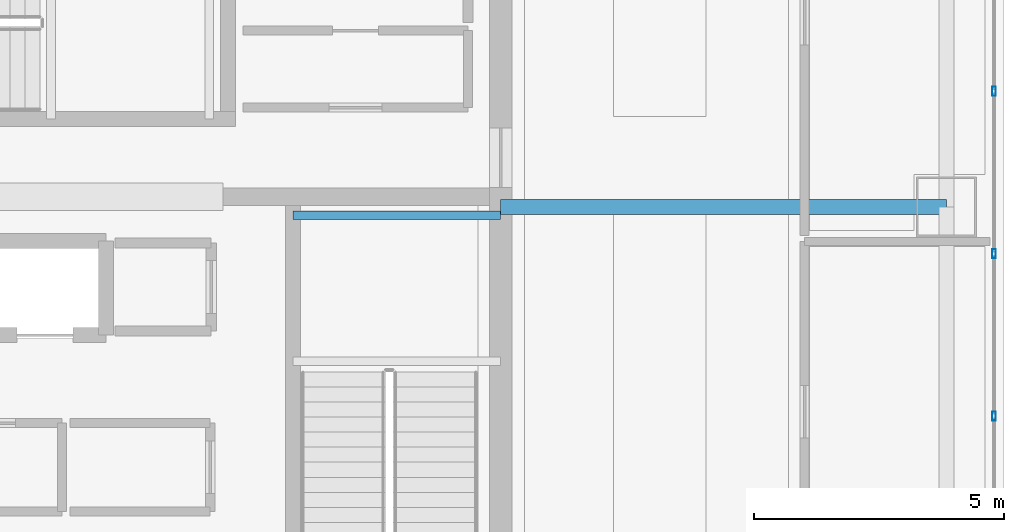
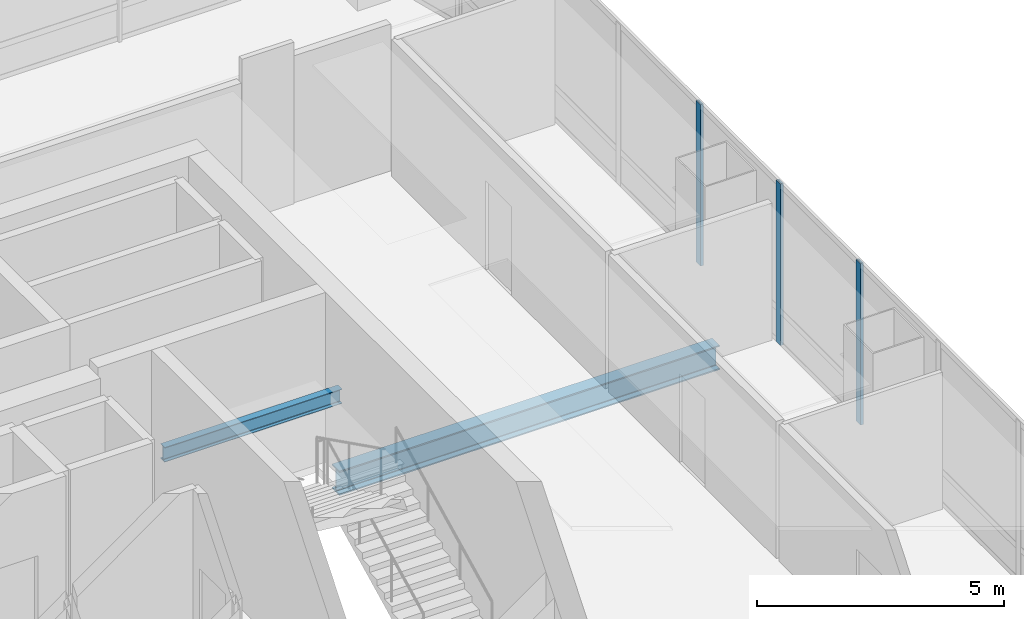
# One storey, part 22 of 43: 3 members, 2 beams, 1 element without a shape of its own.
"""IFC4 building model written with IfcOpenShell, lengths in metres."""

from ifc_helpers import new_model, si_unit, direction, frame, origin, origin_2d, place, context, subcontext, project, spatial, hollow_rectangle, i_section, extrude, material, material_profile, profile_set, type_object, element, aggregate, save


model = new_model("IFC4")

# Units and contexts
model_context = context("Model", 3, precision=1e-05, world=origin(), true_north=direction((0.0, 1.0)))
body_context = subcontext(model_context, "Body", "Model", "MODEL_VIEW")
ifc_project = project(units=[si_unit("LENGTHUNIT", "METRE"), si_unit("AREAUNIT", "SQUARE_METRE"), si_unit("VOLUMEUNIT", "CUBIC_METRE"), si_unit("PLANEANGLEUNIT", "RADIAN"), si_unit("MASSUNIT", "GRAM", prefix="KILO")], contexts=[model_context])

# Site, building, storey
site_placement = place(None, origin())
site = spatial("IfcSite", under=ifc_project, at=site_placement, CompositionType="ELEMENT")
building_placement = place(site_placement, origin())
building = spatial("IfcBuilding", under=site, at=building_placement, Name="Punatoya Terracotta Tower", CompositionType="ELEMENT")
storey_placement = place(building_placement, frame((0.0, 0.0, 321.60009765625)))
storey = spatial("IfcBuildingStorey", under=building, at=storey_placement, Name="L76", CompositionType="ELEMENT", Elevation=321.60009765625)

# Beams
ifc_material_1 = material(Name="Steel S355", Category="steel")
ifc_material_profile_1 = material_profile(ifc_material_1, i_section(OverallWidth=0.300048828125, OverallDepth=0.60009765625, WebThickness=0.015380859375, FlangeThickness=0.030029296875, FilletRadius=0.01806640625, at=origin_2d()))
ifc_profile_set_1 = profile_set([ifc_material_profile_1], Name="Steel S355")
beam_type_1 = type_object("IfcBeamType", Name="BM-PRI-600", PredefinedType="BEAM", material=ifc_profile_set_1)
beam_1_placement = place(storey_placement, frame((10.199951171875, 3.39990234375, -0.5), z_axis=(1.0, 0.0, 0.0), x_axis=(0.0, 1.0, 0.0)))
element("IfcBeam", 1, at=beam_1_placement, inside=storey, type_object=beam_type_1, Name="BM-L76-PR-EE", PredefinedType="BEAM", context=body_context, shape_type="SweptSolid", body=[
    extrude(i_section(OverallWidth=0.300048828125, OverallDepth=0.60009765625, WebThickness=0.015380859375, FlangeThickness=0.030029296875, FilletRadius=0.01806640625, at=origin_2d()), origin(), (0.0, 0.0, 1.0), 8.900146484375),
])
ifc_material_profile_2 = material_profile(ifc_material_1, i_section(OverallWidth=0.169921875, OverallDepth=0.360107421875, WebThickness=0.008056640625, FlangeThickness=0.0126953125, FilletRadius=0.01806640625, at=origin_2d()))
ifc_profile_set_2 = profile_set([ifc_material_profile_2], Name="Steel S355")
beam_type_2 = type_object("IfcBeamType", Name="BM-SEC-360", PredefinedType="JOIST", material=ifc_profile_set_2)
beam_2_placement = place(storey_placement, frame((6.050048828125, 3.22998046875, 1.719970703125), z_axis=(1.0, 0.0, 0.0), x_axis=(0.0, 1.0, 0.0)))
element("IfcBeam", 2, at=beam_2_placement, inside=storey, type_object=beam_type_2, Name="BM-L76-ST-2-LD1B", PredefinedType="JOIST", context=body_context, shape_type="SweptSolid", body=[
    extrude(i_section(OverallWidth=0.169921875, OverallDepth=0.360107421875, WebThickness=0.008056640625, FlangeThickness=0.0126953125, FilletRadius=0.01806640625, at=origin_2d()), origin(), (0.0, 0.0, 1.0), 4.14990234375),
])

# Curtain wall, members
ifc_material_2 = material(Name="Aluminium 6063-T6 + Double Low-E Glass", Category="aluminium")
curtain_wall_type = type_object("IfcCurtainWallType", Name="CW-OBS", PredefinedType="NOTDEFINED", material=ifc_material_2)
curtain_wall_placement = place(storey_placement, origin())
curtain_wall = element("IfcCurtainWall", 3, at=curtain_wall_placement, inside=storey, type_object=curtain_wall_type, Name="L76 Curtain Wall CW-L76-E05-1", PredefinedType="NOTDEFINED")
ifc_material_3 = material(Name="Aluminium 6063-T6", Category="aluminium")
ifc_material_profile_3 = material_profile(ifc_material_3, hollow_rectangle(XDim=0.070068359375, YDim=0.179931640625, WallThickness=0.00390625, at=origin_2d()))
ifc_profile_set_3 = profile_set([ifc_material_profile_3], Name="Aluminium 6063-T6")
member_type = type_object("IfcMemberType", Name="CW-MUL-M3", PredefinedType="MULLION", material=ifc_profile_set_3)
member_1_placement = place(storey_placement, frame((20.050048828125, -0.778564453125, 0.0), z_axis=(0.0, 0.0, 1.0), x_axis=(1.0, 0.0, 0.0)))
member_1 = element("IfcMember", 4, at=member_1_placement, type_object=member_type, Name="CW-L76-E05-1 Mullion 06", PredefinedType="MULLION", context=body_context, shape_type="SweptSolid", body=[
    extrude(hollow_rectangle(XDim=0.070068359375, YDim=0.179931640625, WallThickness=0.00390625, at=origin_2d()), origin(), (0.0, 0.0, 1.0), 4.0),
])
member_2_placement = place(storey_placement, frame((20.050048828125, 2.464599609375, 0.0), z_axis=(0.0, 0.0, 1.0), x_axis=(1.0, 0.0, 0.0)))
member_2 = element("IfcMember", 5, at=member_2_placement, type_object=member_type, Name="CW-L76-E05-1 Mullion 07", PredefinedType="MULLION", context=body_context, shape_type="SweptSolid", body=[
    extrude(hollow_rectangle(XDim=0.070068359375, YDim=0.179931640625, WallThickness=0.00390625, at=origin_2d()), origin(), (0.0, 0.0, 1.0), 4.0),
])
member_3_placement = place(storey_placement, frame((20.050048828125, 5.707763671875, 0.0), z_axis=(0.0, 0.0, 1.0), x_axis=(1.0, 0.0, 0.0)))
member_3 = element("IfcMember", 6, at=member_3_placement, type_object=member_type, Name="CW-L76-E05-1 Mullion 08", PredefinedType="MULLION", context=body_context, shape_type="SweptSolid", body=[
    extrude(hollow_rectangle(XDim=0.070068359375, YDim=0.179931640625, WallThickness=0.00390625, at=origin_2d()), origin(), (0.0, 0.0, 1.0), 4.0),
])
aggregate(curtain_wall, [member_1, member_2, member_3])

save(model, "model.ifc")
